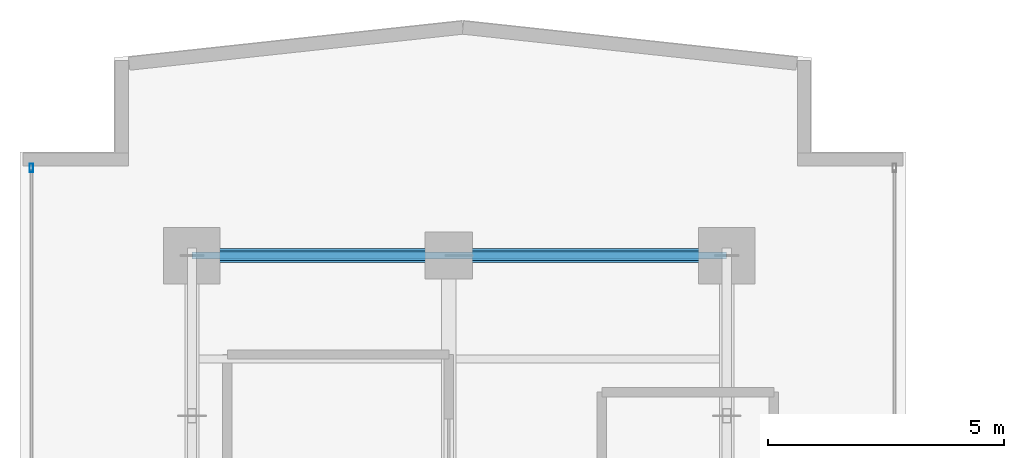
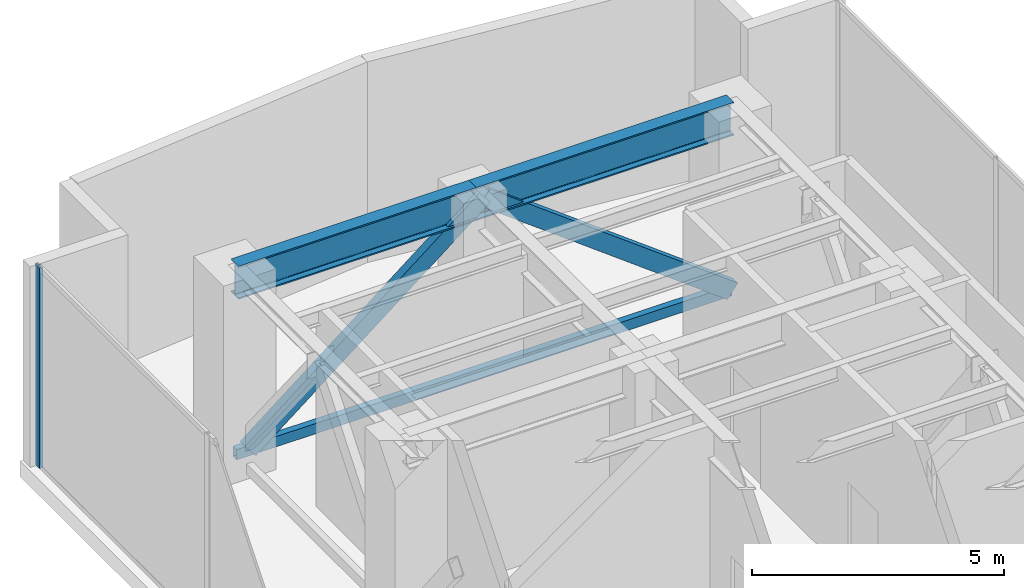
# One storey, part 24 of 36: 4 members, 2 beams, 1 element without a shape of its own.
"""IFC4 building model written with IfcOpenShell, lengths in metres."""

from ifc_helpers import new_model, si_unit, direction, frame, origin, origin_with_axes, origin_2d, place, context, subcontext, project, spatial, hollow_rectangle, i_section, extrude, source, transform, mapped, material, layer, layer_set, material_profile, profile_set, type_object, element, aggregate, save


model = new_model("IFC4")

# Units and contexts
model_context = context("Model", 3, precision=1e-05, world=origin(), true_north=direction((0.0, 1.0)))
body_context = subcontext(model_context, "Body", "Model", "MODEL_VIEW")
ifc_project = project(units=[si_unit("LENGTHUNIT", "METRE"), si_unit("AREAUNIT", "SQUARE_METRE"), si_unit("VOLUMEUNIT", "CUBIC_METRE"), si_unit("PLANEANGLEUNIT", "RADIAN"), si_unit("MASSUNIT", "GRAM", prefix="KILO")], contexts=[model_context])

# Site, building, storey
site_placement = place(None, origin())
site = spatial("IfcSite", under=ifc_project, at=site_placement, CompositionType="ELEMENT")
building_placement = place(site_placement, origin())
building = spatial("IfcBuilding", under=site, at=building_placement, Name="Kolvaren Waterfront Exchange", CompositionType="ELEMENT")
storey_placement = place(building_placement, frame((0.0, 0.0, 199.39990234375)))
storey = spatial("IfcBuildingStorey", under=building, at=storey_placement, Name="L51", CompositionType="ELEMENT", Elevation=199.39990234375)

# Beams
ifc_material_1 = material(Name="Steel S355", Category="steel")
ifc_material_profile_1 = material_profile(ifc_material_1, i_section(OverallWidth=0.300048828125, OverallDepth=0.800048828125, WebThickness=0.017578125, FlangeThickness=0.032958984375, FilletRadius=0.030029296875, at=origin_2d()), Name="HEB800")
ifc_profile_set_1 = profile_set([ifc_material_profile_1], Name="Steel S355")
beam_type = type_object("IfcBeamType", Name="STR-BM-HEB800", PredefinedType="BEAM", material=ifc_profile_set_1)
beam_1_placement = place(storey_placement, frame((7.449951171875, 44.60009765625, 4.460205078125), z_axis=(1.0, 0.0, 0.0), x_axis=(0.0, 1.0, 0.0)))
element("IfcBeam", 1, at=beam_1_placement, inside=storey, type_object=beam_type, Name="L51 north-arm girder 4A", PredefinedType="BEAM", context=body_context, shape_type="SweptSolid", body=[
    extrude(i_section(OverallWidth=0.300048828125, OverallDepth=0.800048828125, WebThickness=0.017578125, FlangeThickness=0.032958984375, FilletRadius=0.030029296875, at=origin_2d()), origin(), (0.0, 0.0, 1.0), 5.449951171875),
])
beam_2_placement = place(storey_placement, frame((12.89990234375, 44.60009765625, 4.460205078125), z_axis=(1.0, 0.0, 0.0), x_axis=(0.0, 1.0, 0.0)))
element("IfcBeam", 2, at=beam_2_placement, inside=storey, type_object=beam_type, Name="L51 north-arm girder 4B", PredefinedType="BEAM", context=body_context, shape_type="SweptSolid", body=[
    extrude(i_section(OverallWidth=0.300048828125, OverallDepth=0.800048828125, WebThickness=0.017578125, FlangeThickness=0.032958984375, FilletRadius=0.030029296875, at=origin_2d()), origin(), (0.0, 0.0, 1.0), 5.900146484375),
])

# Members
ifc_material_2 = material(Name="Steel S460", Category="steel")
ifc_material_profile_2 = material_profile(ifc_material_2, hollow_rectangle(XDim=0.14990234375, YDim=0.25, WallThickness=0.010009765625, at=origin_2d()), Name="RHS250x150x10")
ifc_profile_set_2 = profile_set([ifc_material_profile_2], Name="Steel S460")
member_type_1 = type_object("IfcMemberType", Name="STR-BR-RHS250", PredefinedType="CHORD", material=ifc_profile_set_2)
member_1_placement = place(storey_placement, frame((7.449951171875, 44.60009765625, 0.25), z_axis=(1.0, 0.0, 0.0), x_axis=(0.0, 1.0, 0.0)))
element("IfcMember", 3, at=member_1_placement, inside=storey, type_object=member_type_1, Name="L51 belt-truss bottom chord BT8", PredefinedType="CHORD", context=body_context, shape_type="SweptSolid", body=[
    extrude(hollow_rectangle(XDim=0.14990234375, YDim=0.25, WallThickness=0.010009765625, at=origin_2d()), origin(), (0.0, 0.0, 1.0), 11.35009765625),
])
ifc_material_profile_3 = material_profile(ifc_material_2, hollow_rectangle(XDim=0.199951171875, YDim=0.39990234375, WallThickness=0.01611328125, at=origin_2d()), Name="RHS400x200x16")
ifc_profile_set_3 = profile_set([ifc_material_profile_3], Name="Steel S460")
member_type_2 = type_object("IfcMemberType", Name="STR-BR-RHS400", PredefinedType="BRACE", material=ifc_profile_set_3)
member_2_placement = place(storey_placement, frame((7.75, 44.60009765625, 0.25), z_axis=(0.783705007858, 0.0, 0.621133206855), x_axis=(0.0, 1.0, 0.0)))
element("IfcMember", 4, at=member_2_placement, inside=storey, type_object=member_type_2, Name="L51 belt-truss chevron brace BT8L", PredefinedType="BRACE", context=body_context, shape_type="SweptSolid", body=[
    extrude(hollow_rectangle(XDim=0.199951171875, YDim=0.39990234375, WallThickness=0.01611328125, at=origin_2d()), origin(), (0.0, 0.0, 1.0), 6.8583984375),
])
member_3_placement = place(storey_placement, frame((18.800048828125, 44.60009765625, 0.25), z_axis=(-0.799748083711, 0.0, 0.600335741565), x_axis=(0.0, -1.0, 0.0)))
element("IfcMember", 5, at=member_3_placement, inside=storey, type_object=member_type_2, Name="L51 belt-truss chevron brace BT8R", PredefinedType="BRACE", context=body_context, shape_type="SweptSolid", body=[
    extrude(hollow_rectangle(XDim=0.199951171875, YDim=0.39990234375, WallThickness=0.01611328125, at=origin_2d()), origin(), (0.0, 0.0, 1.0), 7.095947265625),
])

# Curtain wall, member
ifc_material_3 = material(Name="Anodised dark bronze spandrel aluminium", Category="aluminium")
ifc_layer = layer(ifc_material_3, 0.219970703125, Name="Anodised dark bronze spandrel aluminium")
ifc_layer_set = layer_set([ifc_layer], Name="Anodised dark bronze spandrel aluminium")
curtain_wall_type = type_object("IfcCurtainWallType", Name="ARC-CW-SYS6", PredefinedType="USERDEFINED", material=ifc_layer_set)
curtain_wall_placement = place(storey_placement, origin())
curtain_wall = element("IfcCurtainWall", 6, at=curtain_wall_placement, inside=storey, type_object=curtain_wall_type, Name="L51 stick curtain wall CW6 (CW-L51-W)", ObjectType="STICK CURTAIN WALL", PredefinedType="USERDEFINED")
ifc_material_4 = material(Name="Anodised bronze aluminium 6063-T6", Category="aluminium")
ifc_material_profile_4 = material_profile(ifc_material_4, hollow_rectangle(XDim=0.074951171875, YDim=0.179931640625, WallThickness=0.00439453125, at=origin_2d()), Name="ALU-MUL-180x75x4.5")
ifc_profile_set_4 = profile_set([ifc_material_profile_4], Name="Anodised bronze aluminium 6063-T6")
member_type_3 = type_object("IfcMemberType", Name="ARC-CWM-180", PredefinedType="MULLION", material=ifc_profile_set_4)
shared_shape = source(origin_with_axes(), body_context, "Body", "SweptSolid", [
    extrude(hollow_rectangle(XDim=0.074951171875, YDim=0.179931640625, WallThickness=0.00439453125, at=origin_2d()), origin(), (0.0, 0.0, 1.0), 4.860107421875),
])
member_4_placement = place(storey_placement, frame((4.0400390625, 46.46240234375, 0.0), z_axis=(0.0, 0.0, 1.0), x_axis=(-1.0, 0.0, 0.0)))
member_4 = element("IfcMember", 7, at=member_4_placement, type_object=member_type_3, Name="CW6 mullion 7", PredefinedType="MULLION", context=body_context, shape_type="MappedRepresentation", body=[
    mapped(shared_shape, transform((0.0, 0.0, 0.0), x_axis=(1.0, 0.0, 0.0), y_axis=(0.0, 1.0, 0.0), z_axis=(0.0, 0.0, 1.0), scale=1.0)),
])
aggregate(curtain_wall, [member_4])

save(model, "model.ifc")
